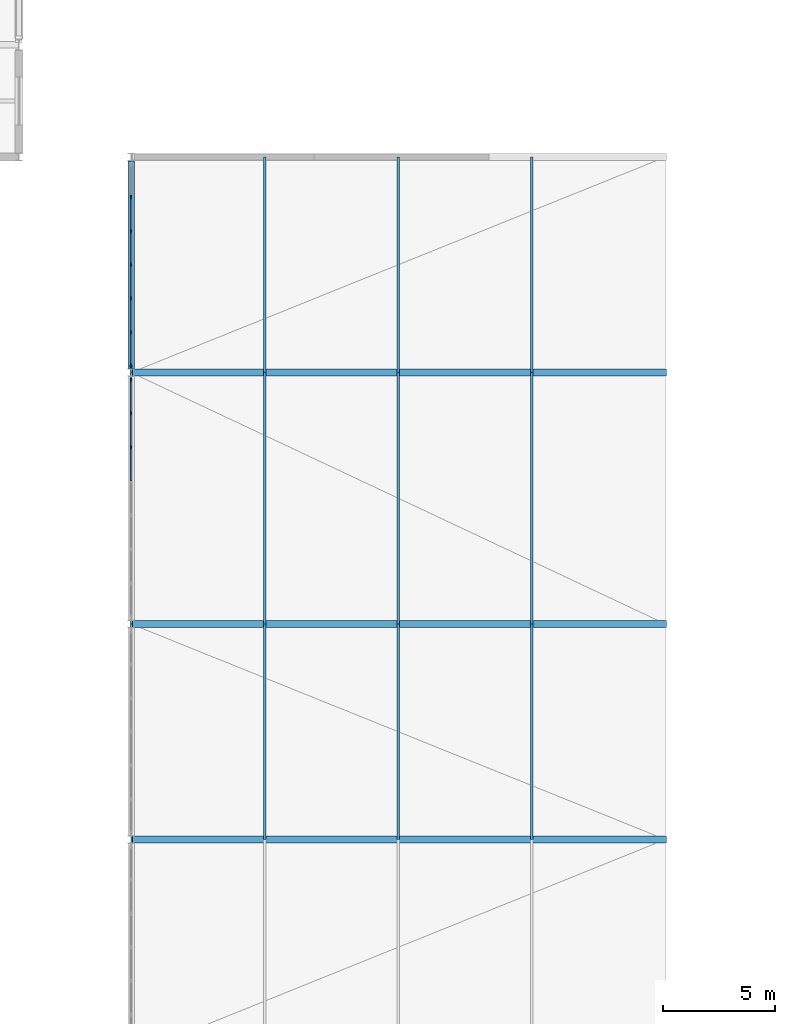
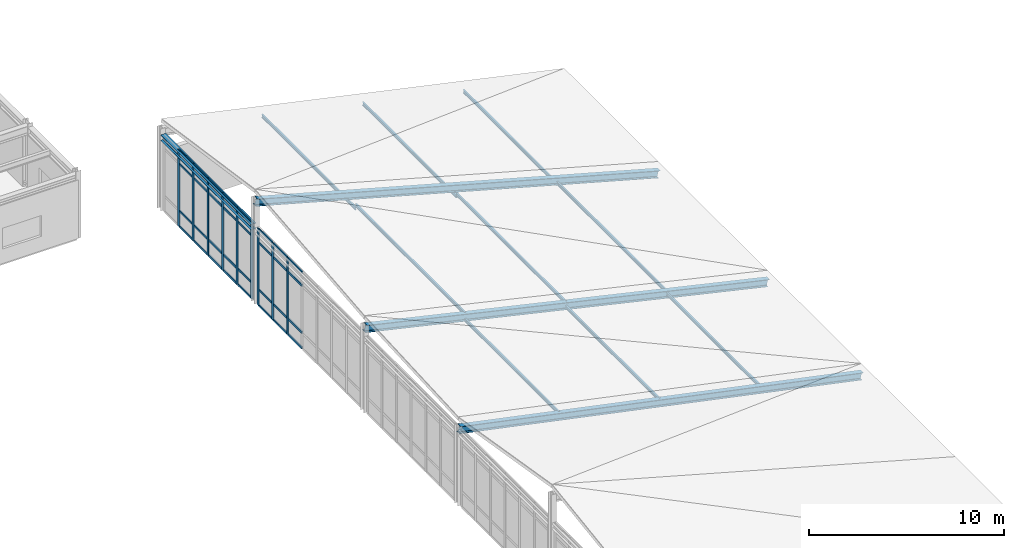
# One storey, part 34 of 64: 53 members, 1 beam, 2 elements without a shape of their own.
"""IFC4 building model written with IfcOpenShell, lengths in metres."""

from ifc_helpers import new_model, si_unit, direction, frame, origin, origin_2d, place, context, subcontext, project, spatial, rectangle, i_section, extrude, material, layer, layer_set, material_profile, profile_set, type_object, element, aggregate, save


model = new_model("IFC4")

# Units and contexts
model_context = context("Model", 3, precision=1e-05, world=origin(), true_north=direction((0.0, 1.0)))
body_context = subcontext(model_context, "Body", "Model", "MODEL_VIEW")
ifc_project = project(units=[si_unit("LENGTHUNIT", "METRE"), si_unit("AREAUNIT", "SQUARE_METRE"), si_unit("VOLUMEUNIT", "CUBIC_METRE"), si_unit("PLANEANGLEUNIT", "RADIAN"), si_unit("MASSUNIT", "GRAM", prefix="KILO")], contexts=[model_context])

# Site, building, storey
site_placement = place(None, origin())
site = spatial("IfcSite", under=ifc_project, at=site_placement, CompositionType="ELEMENT")
building_placement = place(site_placement, origin())
building = spatial("IfcBuilding", under=site, at=building_placement, Name="Nordkorset Police Headquarters", CompositionType="ELEMENT")
storey_placement = place(building_placement, frame((0.0, 0.0, 17.85009765625)))
storey = spatial("IfcBuildingStorey", under=building, at=storey_placement, Name="L04", CompositionType="ELEMENT", Elevation=17.85009765625)

# Curtain wall, members
ifc_material_1 = material(Name="Aluminium alloy AW-6060", Category="aluminium")
ifc_layer_1 = layer(ifc_material_1, 0.179931640625, Name="Aluminium alloy AW-6060")
ifc_layer_set_1 = layer_set([ifc_layer_1], Name="Aluminium alloy AW-6060")
curtain_wall_type_1 = type_object("IfcCurtainWallType", Name="CW_Unit_1060x479", PredefinedType="USERDEFINED", material=ifc_layer_set_1)
curtain_wall_1_placement = place(storey_placement, origin())
curtain_wall_1 = element("IfcCurtainWall", 1, at=curtain_wall_1_placement, inside=storey, type_object=curtain_wall_type_1, Name="Unitised Curtain Wall L04 V5CLER-3", ObjectType="UNITISED CURTAIN WALL", PredefinedType="USERDEFINED")
ifc_material_2 = material(Name="Aluminium alloy AW-6060", Category="aluminium")
ifc_material_profile_1 = material_profile(ifc_material_2, rectangle(XDim=0.06494140625, YDim=0.179931640625, at=origin_2d()), Name="ALU MULL 65x180")
ifc_profile_set_1 = profile_set([ifc_material_profile_1], Name="Aluminium alloy AW-6060")
member_type_1 = type_object("IfcMemberType", Name="CW_Mullion_65x180", PredefinedType="MULLION", material=ifc_profile_set_1)
member_1_placement = place(storey_placement, frame((91.39990234375, 84.67138671875, 0.0), z_axis=(0.0, 0.0, 1.0), x_axis=(-1.0, 0.0, 0.0)))
member_1 = element("IfcMember", 2, at=member_1_placement, type_object=member_type_1, Name="CW-45 mullion 6", PredefinedType="MULLION", context=body_context, shape_type="SweptSolid", body=[
    extrude(rectangle(XDim=0.06494140625, YDim=0.179931640625, at=origin_2d()), origin(), (0.0, 0.0, 1.0), 4.789794921875),
])
member_2_placement = place(storey_placement, frame((91.39990234375, 86.185791015625, 0.0), z_axis=(0.0, 0.0, 1.0), x_axis=(-1.0, 0.0, 0.0)))
member_2 = element("IfcMember", 3, at=member_2_placement, type_object=member_type_1, Name="CW-45 mullion 7", PredefinedType="MULLION", context=body_context, shape_type="SweptSolid", body=[
    extrude(rectangle(XDim=0.06494140625, YDim=0.179931640625, at=origin_2d()), origin(), (0.0, 0.0, 1.0), 4.789794921875),
])
member_3_placement = place(storey_placement, frame((91.39990234375, 87.66748046875, 0.0), z_axis=(0.0, 0.0, 1.0), x_axis=(-1.0, 0.0, 0.0)))
member_3 = element("IfcMember", 4, at=member_3_placement, type_object=member_type_1, Name="CW-45 mullion 8", PredefinedType="MULLION", context=body_context, shape_type="SweptSolid", body=[
    extrude(rectangle(XDim=0.06494140625, YDim=0.179931640625, at=origin_2d()), origin(), (0.0, 0.0, 1.0), 4.789794921875),
])

ifc_material_3 = material(Name="Aluminium alloy AW-6060", Category="aluminium")
ifc_layer_2 = layer(ifc_material_3, 0.179931640625, Name="Aluminium alloy AW-6060")
ifc_layer_set_2 = layer_set([ifc_layer_2], Name="Aluminium alloy AW-6060")
curtain_wall_type_2 = type_object("IfcCurtainWallType", Name="CW_Unit_900x479", PredefinedType="USERDEFINED", material=ifc_layer_set_2)
curtain_wall_2_placement = place(storey_placement, origin())
curtain_wall_2 = element("IfcCurtainWall", 5, at=curtain_wall_2_placement, inside=storey, type_object=curtain_wall_type_2, Name="Unitised Curtain Wall L04 V5CLER-4", ObjectType="UNITISED CURTAIN WALL", PredefinedType="USERDEFINED")
member_4_placement = place(storey_placement, frame((91.39990234375, 88.33251953125, 0.0), z_axis=(0.0, 0.0, 1.0), x_axis=(-1.0, 0.0, 0.0)))
member_4 = element("IfcMember", 6, at=member_4_placement, type_object=member_type_1, Name="CW-89 mullion 1", PredefinedType="MULLION", context=body_context, shape_type="SweptSolid", body=[
    extrude(rectangle(XDim=0.06494140625, YDim=0.179931640625, at=origin_2d()), origin(), (0.0, 0.0, 1.0), 4.789794921875),
])
member_5_placement = place(storey_placement, frame((91.39990234375, 89.800048828125, 0.0), z_axis=(0.0, 0.0, 1.0), x_axis=(-1.0, 0.0, 0.0)))
member_5 = element("IfcMember", 7, at=member_5_placement, type_object=member_type_1, Name="CW-89 mullion 2", PredefinedType="MULLION", context=body_context, shape_type="SweptSolid", body=[
    extrude(rectangle(XDim=0.06494140625, YDim=0.179931640625, at=origin_2d()), origin(), (0.0, 0.0, 1.0), 4.789794921875),
])
member_6_placement = place(storey_placement, frame((91.39990234375, 91.300048828125, 0.0), z_axis=(0.0, 0.0, 1.0), x_axis=(-1.0, 0.0, 0.0)))
member_6 = element("IfcMember", 8, at=member_6_placement, type_object=member_type_1, Name="CW-89 mullion 3", PredefinedType="MULLION", context=body_context, shape_type="SweptSolid", body=[
    extrude(rectangle(XDim=0.06494140625, YDim=0.179931640625, at=origin_2d()), origin(), (0.0, 0.0, 1.0), 4.789794921875),
])
member_7_placement = place(storey_placement, frame((91.39990234375, 92.800048828125, 0.0), z_axis=(0.0, 0.0, 1.0), x_axis=(-1.0, 0.0, 0.0)))
member_7 = element("IfcMember", 9, at=member_7_placement, type_object=member_type_1, Name="CW-89 mullion 4", PredefinedType="MULLION", context=body_context, shape_type="SweptSolid", body=[
    extrude(rectangle(XDim=0.06494140625, YDim=0.179931640625, at=origin_2d()), origin(), (0.0, 0.0, 1.0), 4.789794921875),
])
member_8_placement = place(storey_placement, frame((91.39990234375, 94.300048828125, 0.0), z_axis=(0.0, 0.0, 1.0), x_axis=(-1.0, 0.0, 0.0)))
member_8 = element("IfcMember", 10, at=member_8_placement, type_object=member_type_1, Name="CW-89 mullion 5", PredefinedType="MULLION", context=body_context, shape_type="SweptSolid", body=[
    extrude(rectangle(XDim=0.06494140625, YDim=0.179931640625, at=origin_2d()), origin(), (0.0, 0.0, 1.0), 4.789794921875),
])
member_9_placement = place(storey_placement, frame((91.39990234375, 95.800048828125, 0.0), z_axis=(0.0, 0.0, 1.0), x_axis=(-1.0, 0.0, 0.0)))
member_9 = element("IfcMember", 11, at=member_9_placement, type_object=member_type_1, Name="CW-89 mullion 6", PredefinedType="MULLION", context=body_context, shape_type="SweptSolid", body=[
    extrude(rectangle(XDim=0.06494140625, YDim=0.179931640625, at=origin_2d()), origin(), (0.0, 0.0, 1.0), 4.789794921875),
])

# Member
ifc_material_4 = material(Name="Aluminium alloy AW-6060", Category="aluminium")
ifc_material_profile_2 = material_profile(ifc_material_4, rectangle(XDim=0.06494140625, YDim=0.139892578125, at=origin_2d()), Name="ALU TRAN 65x140")
ifc_profile_set_2 = profile_set([ifc_material_profile_2], Name="Aluminium alloy AW-6060")
member_type_2 = type_object("IfcMemberType", Name="CW_Transom_65x140", PredefinedType="USERDEFINED", material=ifc_profile_set_2)
member_10_placement = place(storey_placement, frame((91.39990234375, 83.189697265625, 0.032470703125), z_axis=(0.0, 1.0, 0.0), x_axis=(-1.0, 0.0, 0.0)))
member_10 = element("IfcMember", 12, at=member_10_placement, type_object=member_type_2, Name="CW-45 transom 5.1", ObjectType="TRANSOM", PredefinedType="USERDEFINED", context=body_context, shape_type="SweptSolid", body=[
    extrude(rectangle(XDim=0.06494140625, YDim=0.139892578125, at=origin_2d()), origin(), (0.0, 0.0, 1.0), 1.44921875),
])

member_11_placement = place(storey_placement, frame((91.39990234375, 83.189697265625, 1.0), z_axis=(0.0, 1.0, 0.0), x_axis=(-1.0, 0.0, 0.0)))
member_11 = element("IfcMember", 13, at=member_11_placement, type_object=member_type_2, Name="CW-45 transom 5.2", ObjectType="TRANSOM", PredefinedType="USERDEFINED", context=body_context, shape_type="SweptSolid", body=[
    extrude(rectangle(XDim=0.06494140625, YDim=0.139892578125, at=origin_2d()), origin(), (0.0, 0.0, 1.0), 1.44921875),
])

member_12_placement = place(storey_placement, frame((91.39990234375, 83.189697265625, 3.93994140625), z_axis=(0.0, 1.0, 0.0), x_axis=(-1.0, 0.0, 0.0)))
member_12 = element("IfcMember", 14, at=member_12_placement, type_object=member_type_2, Name="CW-45 transom 5.3", ObjectType="TRANSOM", PredefinedType="USERDEFINED", context=body_context, shape_type="SweptSolid", body=[
    extrude(rectangle(XDim=0.06494140625, YDim=0.139892578125, at=origin_2d()), origin(), (0.0, 0.0, 1.0), 1.44921875),
])

member_13_placement = place(storey_placement, frame((91.39990234375, 83.189697265625, 4.75732421875), z_axis=(0.0, 1.0, 0.0), x_axis=(-1.0, 0.0, 0.0)))
member_13 = element("IfcMember", 15, at=member_13_placement, type_object=member_type_2, Name="CW-45 transom 5.4", ObjectType="TRANSOM", PredefinedType="USERDEFINED", context=body_context, shape_type="SweptSolid", body=[
    extrude(rectangle(XDim=0.06494140625, YDim=0.139892578125, at=origin_2d()), origin(), (0.0, 0.0, 1.0), 1.44921875),
])

member_14_placement = place(storey_placement, frame((91.39990234375, 84.703857421875, 0.032470703125), z_axis=(0.0, 1.0, 0.0), x_axis=(-1.0, 0.0, 0.0)))
member_14 = element("IfcMember", 16, at=member_14_placement, type_object=member_type_2, Name="CW-45 transom 6.1", ObjectType="TRANSOM", PredefinedType="USERDEFINED", context=body_context, shape_type="SweptSolid", body=[
    extrude(rectangle(XDim=0.06494140625, YDim=0.139892578125, at=origin_2d()), origin(), (0.0, 0.0, 1.0), 1.449462890625),
])

member_15_placement = place(storey_placement, frame((91.39990234375, 84.703857421875, 1.0), z_axis=(0.0, 1.0, 0.0), x_axis=(-1.0, 0.0, 0.0)))
member_15 = element("IfcMember", 17, at=member_15_placement, type_object=member_type_2, Name="CW-45 transom 6.2", ObjectType="TRANSOM", PredefinedType="USERDEFINED", context=body_context, shape_type="SweptSolid", body=[
    extrude(rectangle(XDim=0.06494140625, YDim=0.139892578125, at=origin_2d()), origin(), (0.0, 0.0, 1.0), 1.449462890625),
])

member_16_placement = place(storey_placement, frame((91.39990234375, 84.703857421875, 3.93994140625), z_axis=(0.0, 1.0, 0.0), x_axis=(-1.0, 0.0, 0.0)))
member_16 = element("IfcMember", 18, at=member_16_placement, type_object=member_type_2, Name="CW-45 transom 6.3", ObjectType="TRANSOM", PredefinedType="USERDEFINED", context=body_context, shape_type="SweptSolid", body=[
    extrude(rectangle(XDim=0.06494140625, YDim=0.139892578125, at=origin_2d()), origin(), (0.0, 0.0, 1.0), 1.449462890625),
])

member_17_placement = place(storey_placement, frame((91.39990234375, 84.703857421875, 4.75732421875), z_axis=(0.0, 1.0, 0.0), x_axis=(-1.0, 0.0, 0.0)))
member_17 = element("IfcMember", 19, at=member_17_placement, type_object=member_type_2, Name="CW-45 transom 6.4", ObjectType="TRANSOM", PredefinedType="USERDEFINED", context=body_context, shape_type="SweptSolid", body=[
    extrude(rectangle(XDim=0.06494140625, YDim=0.139892578125, at=origin_2d()), origin(), (0.0, 0.0, 1.0), 1.449462890625),
])

member_18_placement = place(storey_placement, frame((91.39990234375, 86.21826171875, 0.032470703125), z_axis=(0.0, 1.0, 0.0), x_axis=(-1.0, 0.0, 0.0)))
member_18 = element("IfcMember", 20, at=member_18_placement, type_object=member_type_2, Name="CW-45 transom 7.1", ObjectType="TRANSOM", PredefinedType="USERDEFINED", context=body_context, shape_type="SweptSolid", body=[
    extrude(rectangle(XDim=0.06494140625, YDim=0.139892578125, at=origin_2d()), origin(), (0.0, 0.0, 1.0), 1.416748046875),
])

member_19_placement = place(storey_placement, frame((91.39990234375, 86.21826171875, 1.0), z_axis=(0.0, 1.0, 0.0), x_axis=(-1.0, 0.0, 0.0)))
member_19 = element("IfcMember", 21, at=member_19_placement, type_object=member_type_2, Name="CW-45 transom 7.2", ObjectType="TRANSOM", PredefinedType="USERDEFINED", context=body_context, shape_type="SweptSolid", body=[
    extrude(rectangle(XDim=0.06494140625, YDim=0.139892578125, at=origin_2d()), origin(), (0.0, 0.0, 1.0), 1.416748046875),
])

member_20_placement = place(storey_placement, frame((91.39990234375, 86.21826171875, 3.93994140625), z_axis=(0.0, 1.0, 0.0), x_axis=(-1.0, 0.0, 0.0)))
member_20 = element("IfcMember", 22, at=member_20_placement, type_object=member_type_2, Name="CW-45 transom 7.3", ObjectType="TRANSOM", PredefinedType="USERDEFINED", context=body_context, shape_type="SweptSolid", body=[
    extrude(rectangle(XDim=0.06494140625, YDim=0.139892578125, at=origin_2d()), origin(), (0.0, 0.0, 1.0), 1.416748046875),
])

member_21_placement = place(storey_placement, frame((91.39990234375, 86.21826171875, 4.75732421875), z_axis=(0.0, 1.0, 0.0), x_axis=(-1.0, 0.0, 0.0)))
member_21 = element("IfcMember", 23, at=member_21_placement, type_object=member_type_2, Name="CW-45 transom 7.4", ObjectType="TRANSOM", PredefinedType="USERDEFINED", context=body_context, shape_type="SweptSolid", body=[
    extrude(rectangle(XDim=0.06494140625, YDim=0.139892578125, at=origin_2d()), origin(), (0.0, 0.0, 1.0), 1.416748046875),
])

aggregate(curtain_wall_1, [member_1, member_2, member_3, member_10, member_11, member_12, member_13, member_14, member_15, member_16, member_17, member_18, member_19, member_20, member_21])

member_22_placement = place(storey_placement, frame((91.39990234375, 88.364990234375, 0.032470703125), z_axis=(0.0, 1.0, 0.0), x_axis=(-1.0, 0.0, 0.0)))
member_22 = element("IfcMember", 24, at=member_22_placement, type_object=member_type_2, Name="CW-89 transom 1.1", ObjectType="TRANSOM", PredefinedType="USERDEFINED", context=body_context, shape_type="SweptSolid", body=[
    extrude(rectangle(XDim=0.06494140625, YDim=0.139892578125, at=origin_2d()), origin(), (0.0, 0.0, 1.0), 1.402587890625),
])

member_23_placement = place(storey_placement, frame((91.39990234375, 88.364990234375, 1.0), z_axis=(0.0, 1.0, 0.0), x_axis=(-1.0, 0.0, 0.0)))
member_23 = element("IfcMember", 25, at=member_23_placement, type_object=member_type_2, Name="CW-89 transom 1.2", ObjectType="TRANSOM", PredefinedType="USERDEFINED", context=body_context, shape_type="SweptSolid", body=[
    extrude(rectangle(XDim=0.06494140625, YDim=0.139892578125, at=origin_2d()), origin(), (0.0, 0.0, 1.0), 1.402587890625),
])

member_24_placement = place(storey_placement, frame((91.39990234375, 88.364990234375, 3.93994140625), z_axis=(0.0, 1.0, 0.0), x_axis=(-1.0, 0.0, 0.0)))
member_24 = element("IfcMember", 26, at=member_24_placement, type_object=member_type_2, Name="CW-89 transom 1.3", ObjectType="TRANSOM", PredefinedType="USERDEFINED", context=body_context, shape_type="SweptSolid", body=[
    extrude(rectangle(XDim=0.06494140625, YDim=0.139892578125, at=origin_2d()), origin(), (0.0, 0.0, 1.0), 1.402587890625),
])

member_25_placement = place(storey_placement, frame((91.39990234375, 88.364990234375, 4.75732421875), z_axis=(0.0, 1.0, 0.0), x_axis=(-1.0, 0.0, 0.0)))
member_25 = element("IfcMember", 27, at=member_25_placement, type_object=member_type_2, Name="CW-89 transom 1.4", ObjectType="TRANSOM", PredefinedType="USERDEFINED", context=body_context, shape_type="SweptSolid", body=[
    extrude(rectangle(XDim=0.06494140625, YDim=0.139892578125, at=origin_2d()), origin(), (0.0, 0.0, 1.0), 1.402587890625),
])

member_26_placement = place(storey_placement, frame((91.39990234375, 89.83251953125, 0.032470703125), z_axis=(0.0, 1.0, 0.0), x_axis=(-1.0, 0.0, 0.0)))
member_26 = element("IfcMember", 28, at=member_26_placement, type_object=member_type_2, Name="CW-89 transom 2.1", ObjectType="TRANSOM", PredefinedType="USERDEFINED", context=body_context, shape_type="SweptSolid", body=[
    extrude(rectangle(XDim=0.06494140625, YDim=0.139892578125, at=origin_2d()), origin(), (0.0, 0.0, 1.0), 1.43505859375),
])

member_27_placement = place(storey_placement, frame((91.39990234375, 89.83251953125, 1.0), z_axis=(0.0, 1.0, 0.0), x_axis=(-1.0, 0.0, 0.0)))
member_27 = element("IfcMember", 29, at=member_27_placement, type_object=member_type_2, Name="CW-89 transom 2.2", ObjectType="TRANSOM", PredefinedType="USERDEFINED", context=body_context, shape_type="SweptSolid", body=[
    extrude(rectangle(XDim=0.06494140625, YDim=0.139892578125, at=origin_2d()), origin(), (0.0, 0.0, 1.0), 1.43505859375),
])

member_28_placement = place(storey_placement, frame((91.39990234375, 89.83251953125, 3.93994140625), z_axis=(0.0, 1.0, 0.0), x_axis=(-1.0, 0.0, 0.0)))
member_28 = element("IfcMember", 30, at=member_28_placement, type_object=member_type_2, Name="CW-89 transom 2.3", ObjectType="TRANSOM", PredefinedType="USERDEFINED", context=body_context, shape_type="SweptSolid", body=[
    extrude(rectangle(XDim=0.06494140625, YDim=0.139892578125, at=origin_2d()), origin(), (0.0, 0.0, 1.0), 1.43505859375),
])

member_29_placement = place(storey_placement, frame((91.39990234375, 89.83251953125, 4.75732421875), z_axis=(0.0, 1.0, 0.0), x_axis=(-1.0, 0.0, 0.0)))
member_29 = element("IfcMember", 31, at=member_29_placement, type_object=member_type_2, Name="CW-89 transom 2.4", ObjectType="TRANSOM", PredefinedType="USERDEFINED", context=body_context, shape_type="SweptSolid", body=[
    extrude(rectangle(XDim=0.06494140625, YDim=0.139892578125, at=origin_2d()), origin(), (0.0, 0.0, 1.0), 1.43505859375),
])

member_30_placement = place(storey_placement, frame((91.39990234375, 91.33251953125, 0.032470703125), z_axis=(0.0, 1.0, 0.0), x_axis=(-1.0, 0.0, 0.0)))
member_30 = element("IfcMember", 32, at=member_30_placement, type_object=member_type_2, Name="CW-89 transom 3.1", ObjectType="TRANSOM", PredefinedType="USERDEFINED", context=body_context, shape_type="SweptSolid", body=[
    extrude(rectangle(XDim=0.06494140625, YDim=0.139892578125, at=origin_2d()), origin(), (0.0, 0.0, 1.0), 1.43505859375),
])

member_31_placement = place(storey_placement, frame((91.39990234375, 91.33251953125, 1.0), z_axis=(0.0, 1.0, 0.0), x_axis=(-1.0, 0.0, 0.0)))
member_31 = element("IfcMember", 33, at=member_31_placement, type_object=member_type_2, Name="CW-89 transom 3.2", ObjectType="TRANSOM", PredefinedType="USERDEFINED", context=body_context, shape_type="SweptSolid", body=[
    extrude(rectangle(XDim=0.06494140625, YDim=0.139892578125, at=origin_2d()), origin(), (0.0, 0.0, 1.0), 1.43505859375),
])

member_32_placement = place(storey_placement, frame((91.39990234375, 91.33251953125, 3.93994140625), z_axis=(0.0, 1.0, 0.0), x_axis=(-1.0, 0.0, 0.0)))
member_32 = element("IfcMember", 34, at=member_32_placement, type_object=member_type_2, Name="CW-89 transom 3.3", ObjectType="TRANSOM", PredefinedType="USERDEFINED", context=body_context, shape_type="SweptSolid", body=[
    extrude(rectangle(XDim=0.06494140625, YDim=0.139892578125, at=origin_2d()), origin(), (0.0, 0.0, 1.0), 1.43505859375),
])

member_33_placement = place(storey_placement, frame((91.39990234375, 91.33251953125, 4.75732421875), z_axis=(0.0, 1.0, 0.0), x_axis=(-1.0, 0.0, 0.0)))
member_33 = element("IfcMember", 35, at=member_33_placement, type_object=member_type_2, Name="CW-89 transom 3.4", ObjectType="TRANSOM", PredefinedType="USERDEFINED", context=body_context, shape_type="SweptSolid", body=[
    extrude(rectangle(XDim=0.06494140625, YDim=0.139892578125, at=origin_2d()), origin(), (0.0, 0.0, 1.0), 1.43505859375),
])

member_34_placement = place(storey_placement, frame((91.39990234375, 92.83251953125, 0.032470703125), z_axis=(0.0, 1.0, 0.0), x_axis=(-1.0, 0.0, 0.0)))
member_34 = element("IfcMember", 36, at=member_34_placement, type_object=member_type_2, Name="CW-89 transom 4.1", ObjectType="TRANSOM", PredefinedType="USERDEFINED", context=body_context, shape_type="SweptSolid", body=[
    extrude(rectangle(XDim=0.06494140625, YDim=0.139892578125, at=origin_2d()), origin(), (0.0, 0.0, 1.0), 1.43505859375),
])

member_35_placement = place(storey_placement, frame((91.39990234375, 92.83251953125, 1.0), z_axis=(0.0, 1.0, 0.0), x_axis=(-1.0, 0.0, 0.0)))
member_35 = element("IfcMember", 37, at=member_35_placement, type_object=member_type_2, Name="CW-89 transom 4.2", ObjectType="TRANSOM", PredefinedType="USERDEFINED", context=body_context, shape_type="SweptSolid", body=[
    extrude(rectangle(XDim=0.06494140625, YDim=0.139892578125, at=origin_2d()), origin(), (0.0, 0.0, 1.0), 1.43505859375),
])

member_36_placement = place(storey_placement, frame((91.39990234375, 92.83251953125, 3.93994140625), z_axis=(0.0, 1.0, 0.0), x_axis=(-1.0, 0.0, 0.0)))
member_36 = element("IfcMember", 38, at=member_36_placement, type_object=member_type_2, Name="CW-89 transom 4.3", ObjectType="TRANSOM", PredefinedType="USERDEFINED", context=body_context, shape_type="SweptSolid", body=[
    extrude(rectangle(XDim=0.06494140625, YDim=0.139892578125, at=origin_2d()), origin(), (0.0, 0.0, 1.0), 1.43505859375),
])

member_37_placement = place(storey_placement, frame((91.39990234375, 92.83251953125, 4.75732421875), z_axis=(0.0, 1.0, 0.0), x_axis=(-1.0, 0.0, 0.0)))
member_37 = element("IfcMember", 39, at=member_37_placement, type_object=member_type_2, Name="CW-89 transom 4.4", ObjectType="TRANSOM", PredefinedType="USERDEFINED", context=body_context, shape_type="SweptSolid", body=[
    extrude(rectangle(XDim=0.06494140625, YDim=0.139892578125, at=origin_2d()), origin(), (0.0, 0.0, 1.0), 1.43505859375),
])

member_38_placement = place(storey_placement, frame((91.39990234375, 94.33251953125, 0.032470703125), z_axis=(0.0, 1.0, 0.0), x_axis=(-1.0, 0.0, 0.0)))
member_38 = element("IfcMember", 40, at=member_38_placement, type_object=member_type_2, Name="CW-89 transom 5.1", ObjectType="TRANSOM", PredefinedType="USERDEFINED", context=body_context, shape_type="SweptSolid", body=[
    extrude(rectangle(XDim=0.06494140625, YDim=0.139892578125, at=origin_2d()), origin(), (0.0, 0.0, 1.0), 1.43505859375),
])

member_39_placement = place(storey_placement, frame((91.39990234375, 94.33251953125, 1.0), z_axis=(0.0, 1.0, 0.0), x_axis=(-1.0, 0.0, 0.0)))
member_39 = element("IfcMember", 41, at=member_39_placement, type_object=member_type_2, Name="CW-89 transom 5.2", ObjectType="TRANSOM", PredefinedType="USERDEFINED", context=body_context, shape_type="SweptSolid", body=[
    extrude(rectangle(XDim=0.06494140625, YDim=0.139892578125, at=origin_2d()), origin(), (0.0, 0.0, 1.0), 1.43505859375),
])

member_40_placement = place(storey_placement, frame((91.39990234375, 94.33251953125, 3.93994140625), z_axis=(0.0, 1.0, 0.0), x_axis=(-1.0, 0.0, 0.0)))
member_40 = element("IfcMember", 42, at=member_40_placement, type_object=member_type_2, Name="CW-89 transom 5.3", ObjectType="TRANSOM", PredefinedType="USERDEFINED", context=body_context, shape_type="SweptSolid", body=[
    extrude(rectangle(XDim=0.06494140625, YDim=0.139892578125, at=origin_2d()), origin(), (0.0, 0.0, 1.0), 1.43505859375),
])

member_41_placement = place(storey_placement, frame((91.39990234375, 94.33251953125, 4.75732421875), z_axis=(0.0, 1.0, 0.0), x_axis=(-1.0, 0.0, 0.0)))
member_41 = element("IfcMember", 43, at=member_41_placement, type_object=member_type_2, Name="CW-89 transom 5.4", ObjectType="TRANSOM", PredefinedType="USERDEFINED", context=body_context, shape_type="SweptSolid", body=[
    extrude(rectangle(XDim=0.06494140625, YDim=0.139892578125, at=origin_2d()), origin(), (0.0, 0.0, 1.0), 1.43505859375),
])

aggregate(curtain_wall_2, [member_4, member_5, member_6, member_7, member_8, member_9, member_22, member_23, member_24, member_25, member_26, member_27, member_28, member_29, member_30, member_31, member_32, member_33, member_34, member_35, member_36, member_37, member_38, member_39, member_40, member_41])

# Beam
ifc_material_5 = material(Name="Steel S355J2", Category="steel")
ifc_material_profile_3 = material_profile(ifc_material_5, i_section(OverallWidth=0.300048828125, OverallDepth=0.35009765625, WebThickness=0.010009765625, FlangeThickness=0.017578125, FilletRadius=0.027099609375, at=origin_2d()), Name="HEA 360")
ifc_profile_set_3 = profile_set([ifc_material_profile_3], Name="Steel S355J2")
beam_type = type_object("IfcBeamType", Name="Girder_HEA_360", PredefinedType="USERDEFINED", material=ifc_profile_set_3)
beam_placement = place(storey_placement, frame((91.39990234375, 88.175048828125, 4.58984375), z_axis=(0.0, 1.0, 0.0), x_axis=(-1.0, 0.0, 0.0)))
element("IfcBeam", 44, at=beam_placement, inside=storey, type_object=beam_type, Name="Gymnasium Clerestory Roof Tie Girder 5", ObjectType="GIRDER", PredefinedType="USERDEFINED", context=body_context, shape_type="SweptSolid", body=[
    extrude(i_section(OverallWidth=0.300048828125, OverallDepth=0.35009765625, WebThickness=0.010009765625, FlangeThickness=0.017578125, FilletRadius=0.027099609375, at=origin_2d()), origin(), (0.0, 0.0, 1.0), 9.25),
])

# Members
ifc_material_6 = material(Name="Steel S355J2", Category="steel")
ifc_material_profile_4 = material_profile(ifc_material_6, i_section(OverallWidth=0.10009765625, OverallDepth=0.199951171875, WebThickness=0.005615234375, FlangeThickness=0.008544921875, FilletRadius=0.011962890625, at=origin_2d()), Name="IPE 200")
ifc_profile_set_4 = profile_set([ifc_material_profile_4], Name="Steel S355J2")
member_type_3 = type_object("IfcMemberType", Name="Purlin_IPE_200", PredefinedType="PURLIN", material=ifc_profile_set_4)
for number, where, z_axis, x_axis, name in (
    (45, (97.35009765625, 67.2060546875, 3.5849609375), (0.0, 1.0, 0.0), (-1.0, 0.0, 0.0), "Gymnasium Folded Roof Purlin Bay 3"),
    (46, (103.300048828125, 67.2060546875, 2.31982421875), (0.0, 1.0, 0.0), (-1.0, 0.0, 0.0), "Gymnasium Folded Roof Purlin Bay 3"),
    (47, (109.25, 67.2060546875, 1.054931640625), (0.0, 1.0, 0.0), (-1.0, 0.0, 0.0), "Gymnasium Folded Roof Purlin Bay 3"),
):
    element("IfcMember", number, at=place(storey_placement, frame(where, z_axis=z_axis, x_axis=x_axis)), inside=storey, type_object=member_type_3, Name=name, PredefinedType="PURLIN", context=body_context, shape_type="SweptSolid", body=[
        extrude(i_section(OverallWidth=0.10009765625, OverallDepth=0.199951171875, WebThickness=0.005615234375, FlangeThickness=0.008544921875, FilletRadius=0.011962890625, at=origin_2d()), origin(), (0.0, 0.0, 1.0), 9.587890625),
    ])
for number, where, z_axis, x_axis, name in (
    (48, (97.35009765625, 76.805908203125, 3.9599609375), (0.0, 1.0, 0.0), (-1.0, 0.0, 0.0), "Gymnasium Folded Roof Purlin Bay 4"),
    (49, (103.300048828125, 76.805908203125, 2.56982421875), (0.0, 1.0, 0.0), (-1.0, 0.0, 0.0), "Gymnasium Folded Roof Purlin Bay 4"),
    (50, (109.25, 76.805908203125, 1.179931640625), (0.0, 1.0, 0.0), (-1.0, 0.0, 0.0), "Gymnasium Folded Roof Purlin Bay 4"),
):
    element("IfcMember", number, at=place(storey_placement, frame(where, z_axis=z_axis, x_axis=x_axis)), inside=storey, type_object=member_type_3, Name=name, PredefinedType="PURLIN", context=body_context, shape_type="SweptSolid", body=[
        extrude(i_section(OverallWidth=0.10009765625, OverallDepth=0.199951171875, WebThickness=0.005615234375, FlangeThickness=0.008544921875, FilletRadius=0.011962890625, at=origin_2d()), origin(), (0.0, 0.0, 1.0), 11.18798828125),
    ])
for number, where, z_axis, x_axis, name in (
    (51, (97.35009765625, 88.006103515625, 3.73486328125), (0.0, 1.0, 0.0), (-1.0, 0.0, 0.0), "Gymnasium Folded Roof Purlin Bay 5"),
    (52, (103.300048828125, 88.006103515625, 2.419921875), (0.0, 1.0, 0.0), (-1.0, 0.0, 0.0), "Gymnasium Folded Roof Purlin Bay 5"),
    (53, (109.25, 88.006103515625, 1.10498046875), (0.0, 1.0, 0.0), (-1.0, 0.0, 0.0), "Gymnasium Folded Roof Purlin Bay 5"),
):
    element("IfcMember", number, at=place(storey_placement, frame(where, z_axis=z_axis, x_axis=x_axis)), inside=storey, type_object=member_type_3, Name=name, PredefinedType="PURLIN", context=body_context, shape_type="SweptSolid", body=[
        extrude(i_section(OverallWidth=0.10009765625, OverallDepth=0.199951171875, WebThickness=0.005615234375, FlangeThickness=0.008544921875, FilletRadius=0.011962890625, at=origin_2d()), origin(), (0.0, 0.0, 1.0), 9.587890625),
    ])
ifc_material_7 = material(Name="Steel S355J2", Category="steel")
ifc_material_profile_5 = material_profile(ifc_material_7, i_section(OverallWidth=0.300048828125, OverallDepth=0.43994140625, WebThickness=0.011474609375, FlangeThickness=0.02099609375, FilletRadius=0.027099609375, at=origin_2d()), Name="HEA 450")
ifc_profile_set_5 = profile_set([ifc_material_profile_5], Name="Steel S355J2")
member_type_4 = type_object("IfcMemberType", Name="Rafter_HEA_450", PredefinedType="RAFTER", material=ifc_profile_set_5)
member_42_placement = place(storey_placement, frame((91.407958984375, 67.199951171875, 4.669921875), z_axis=(0.978939519535, 0.0, -0.20415047659), x_axis=(0.0, 1.0, 0.0)))
element("IfcMember", 54, at=member_42_placement, inside=storey, type_object=member_type_4, Name="Gymnasium Folded Roof Rafter 3", PredefinedType="RAFTER", context=body_context, shape_type="SweptSolid", body=[
    extrude(i_section(OverallWidth=0.300048828125, OverallDepth=0.43994140625, WebThickness=0.011474609375, FlangeThickness=0.02099609375, FilletRadius=0.027099609375, at=origin_2d()), origin(), (0.0, 0.0, 1.0), 24.295654296875),
])
member_43_placement = place(storey_placement, frame((91.407958984375, 76.800048828125, 5.169921875), z_axis=(0.974647701788, 0.0, -0.223745072345), x_axis=(0.0, 1.0, 0.0)))
element("IfcMember", 55, at=member_43_placement, inside=storey, type_object=member_type_4, Name="Gymnasium Folded Roof Rafter 4", PredefinedType="RAFTER", context=body_context, shape_type="SweptSolid", body=[
    extrude(i_section(OverallWidth=0.300048828125, OverallDepth=0.43994140625, WebThickness=0.011474609375, FlangeThickness=0.02099609375, FilletRadius=0.027099609375, at=origin_2d()), origin(), (0.0, 0.0, 1.0), 24.402587890625),
])
member_44_placement = place(storey_placement, frame((91.407958984375, 88.0, 6.27001953125), z_axis=(0.964003289191, 0.0, -0.265890312778), x_axis=(0.0, 1.0, 0.0)))
element("IfcMember", 56, at=member_44_placement, inside=storey, type_object=member_type_4, Name="Gymnasium Folded Roof Rafter 5", PredefinedType="RAFTER", context=body_context, shape_type="SweptSolid", body=[
    extrude(i_section(OverallWidth=0.300048828125, OverallDepth=0.43994140625, WebThickness=0.011474609375, FlangeThickness=0.02099609375, FilletRadius=0.027099609375, at=origin_2d()), origin(), (0.0, 0.0, 1.0), 24.672119140625),
])

save(model, "model.ifc")
